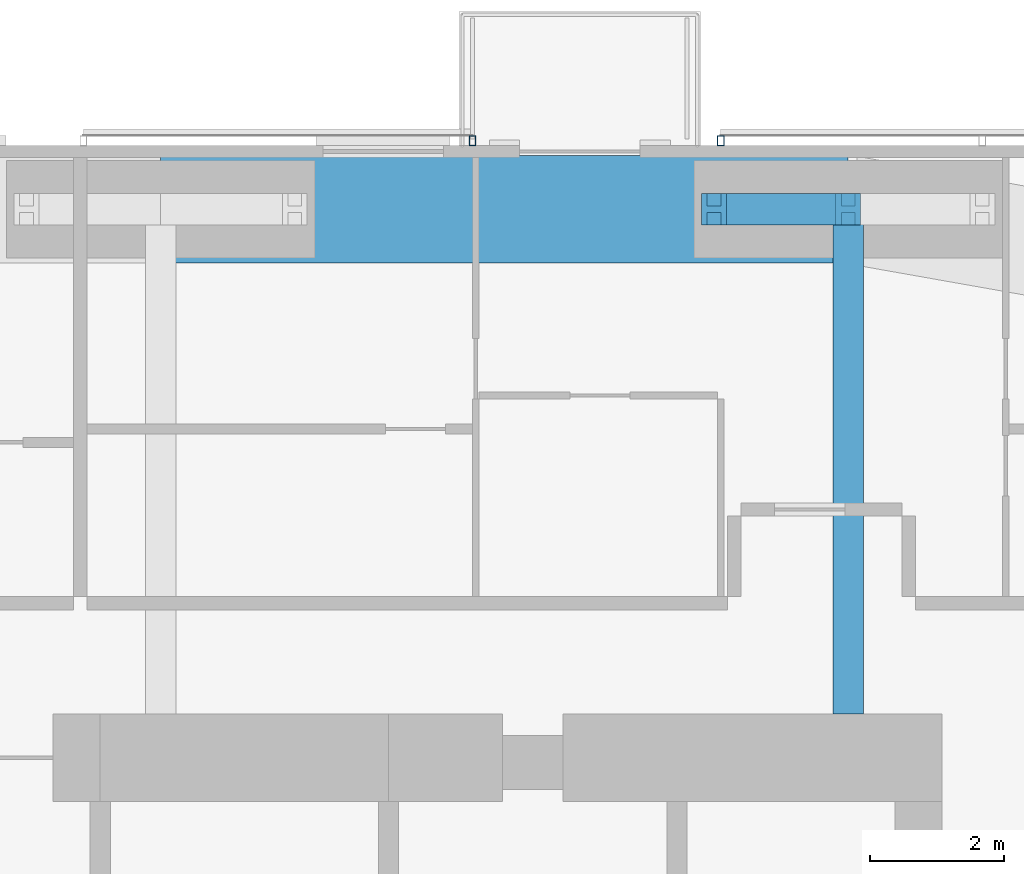
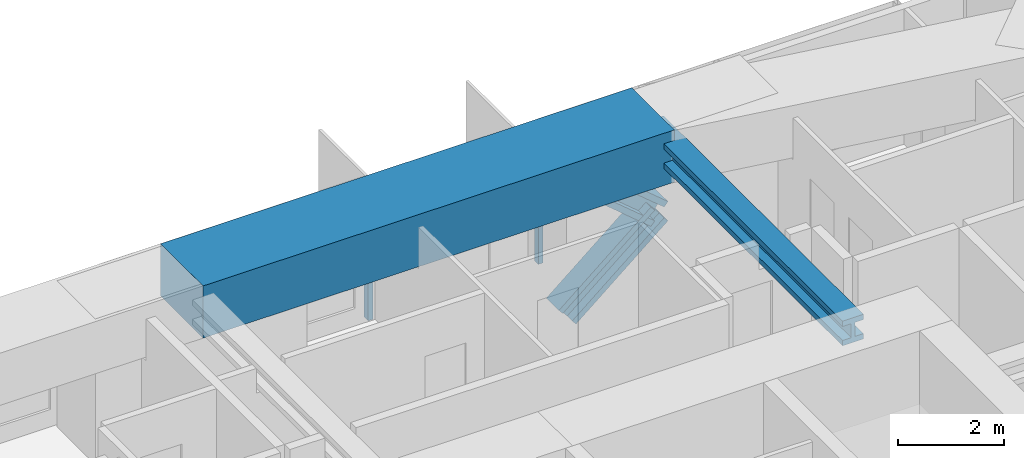
# One storey, part 12 of 23: 4 members, 2 beams, 2 elements without a shape of their own.
"""IFC4 building model written with IfcOpenShell, lengths in metres."""

from ifc_helpers import new_model, si_unit, direction, frame, origin, origin_2d, place, context, subcontext, project, spatial, rectangle, hollow_rectangle, i_section, extrude, material, material_profile, profile_set, type_object, element, aggregate, save


model = new_model("IFC4")

# Units and contexts
model_context = context("Model", 3, precision=1e-05, world=origin(), true_north=direction((0.0, 1.0)))
body_context = subcontext(model_context, "Body", "Model", "MODEL_VIEW")
ifc_project = project(units=[si_unit("LENGTHUNIT", "METRE"), si_unit("AREAUNIT", "SQUARE_METRE"), si_unit("VOLUMEUNIT", "CUBIC_METRE"), si_unit("PLANEANGLEUNIT", "RADIAN"), si_unit("MASSUNIT", "GRAM", prefix="KILO")], contexts=[model_context])

# Site, building, storey
site_placement = place(None, origin())
site = spatial("IfcSite", under=ifc_project, at=site_placement, CompositionType="ELEMENT")
building_placement = place(site_placement, origin())
building = spatial("IfcBuilding", under=site, at=building_placement, Name="Jalousie Tower", CompositionType="ELEMENT")
storey_placement = place(building_placement, frame((0.0, 0.0, 167.75)))
storey = spatial("IfcBuildingStorey", under=building, at=storey_placement, Name="L45", CompositionType="ELEMENT", Elevation=167.75)

# Beam
ifc_material_1 = material(Name="Steel ASTM A992 Grade 50", Category="steel")
ifc_material_profile_1 = material_profile(ifc_material_1, i_section(OverallWidth=0.45458984375, OverallDepth=0.569091796875, WebThickness=0.077880859375, FlangeThickness=0.124755859375, at=origin_2d()), Name="W14X730")
ifc_profile_set_1 = profile_set([ifc_material_profile_1], Name="Steel ASTM A992 Grade 50")
beam_type_1 = type_object("IfcBeamType", Name="LEAN COLLECTOR W14X730", PredefinedType="BEAM", material=ifc_profile_set_1)
beam_1_placement = place(storey_placement, frame((42.75, 35.050048828125, 2.825439453125), z_axis=(0.0, -1.0, 0.0), x_axis=(1.0, 0.0, 0.0)))
element("IfcBeam", 1, at=beam_1_placement, inside=storey, type_object=beam_type_1, Name="Lean collector under L46", PredefinedType="BEAM", context=body_context, shape_type="SweptSolid", body=[
    extrude(i_section(OverallWidth=0.45458984375, OverallDepth=0.569091796875, WebThickness=0.077880859375, FlangeThickness=0.124755859375, at=origin_2d()), origin(), (0.0, 0.0, 1.0), 7.525146484375),
])

# Members
ifc_material_2 = material(Name="Steel ASTM A992 Grade 50", Category="steel")
ifc_material_profile_2 = material_profile(ifc_material_2, i_section(OverallWidth=0.472412109375, OverallDepth=0.5791015625, WebThickness=0.094970703125, FlangeThickness=0.1298828125, at=origin_2d()), Name="W14X808")
ifc_profile_set_2 = profile_set([ifc_material_profile_2], Name="Steel ASTM A992 Grade 50")
member_type_1 = type_object("IfcMemberType", Name="PERIMETER BRACE W14X808", PredefinedType="BRACE", material=ifc_profile_set_2)
for number, where, z_axis, x_axis, name in (
    (2, (40.75, 35.050048828125, -0.60009765625), (0.766638753323, 0.0, 0.642078672674), (0.0, 1.0, 0.0), "Perimeter brace 09 L45 part 1"),
    (3, (42.75, 35.050048828125, 1.074951171875), (-0.766638753323, 0.0, 0.642078672674), (0.0, -1.0, 0.0), "Perimeter brace 09 L45 part 4"),
):
    element("IfcMember", number, at=place(storey_placement, frame(where, z_axis=z_axis, x_axis=x_axis)), inside=storey, type_object=member_type_1, Name=name, PredefinedType="BRACE", context=body_context, shape_type="SweptSolid", body=[
        extrude(i_section(OverallWidth=0.472412109375, OverallDepth=0.5791015625, WebThickness=0.094970703125, FlangeThickness=0.1298828125, at=origin_2d()), origin(), (0.0, 0.0, 1.0), 2.60888671875),
    ])

# Beam
ifc_material_3 = material(Name="Concrete f'c 40 MPa", Category="concrete")
ifc_material_profile_3 = material_profile(ifc_material_3, rectangle(XDim=1.60009765625, YDim=1.199951171875, at=origin_2d()), Name="RC 1600x1200")
ifc_profile_set_3 = profile_set([ifc_material_profile_3], Name="Concrete f'c 40 MPa")
beam_type_2 = type_object("IfcBeamType", Name="RC BEAM 1600x1200", PredefinedType="BEAM", material=ifc_profile_set_3)
beam_2_placement = place(storey_placement, frame((42.75, 35.050048828125, 2.75), z_axis=(-1.0, 0.0, 0.0), x_axis=(0.0, -1.0, 0.0)))
element("IfcBeam", 4, at=beam_2_placement, inside=storey, type_object=beam_type_2, Name="Edge band beam 09-10 under L46", PredefinedType="BEAM", context=body_context, shape_type="SweptSolid", body=[
    extrude(rectangle(XDim=1.60009765625, YDim=1.199951171875, at=origin_2d()), origin(), (0.0, 0.0, 1.0), 10.25),
])

# Curtain wall, member
ifc_material_4 = material(Name="Perforated aluminium sheet", Category="aluminium")
curtain_wall_type = type_object("IfcCurtainWallType", Name="SOLAR SCREEN SS-1", PredefinedType="USERDEFINED", material=ifc_material_4)
curtain_wall_1_placement = place(storey_placement, origin())
curtain_wall_1 = element("IfcCurtainWall", 5, at=curtain_wall_1_placement, inside=storey, type_object=curtain_wall_type, Name="Solar screen L45", ObjectType="SOLAR SCREEN SS-1", PredefinedType="USERDEFINED")
ifc_material_5 = material(Name="Steel ASTM A500 Grade C", Category="steel")
ifc_material_profile_4 = material_profile(ifc_material_5, hollow_rectangle(XDim=0.1015625, YDim=0.15234375, WallThickness=0.00634765625, at=origin_2d()), Name="HSS6X4X1/4")
ifc_profile_set_4 = profile_set([ifc_material_profile_4], Name="Steel ASTM A500 Grade C")
member_type_2 = type_object("IfcMemberType", Name="SOLAR SCREEN SS-1 MULLION", PredefinedType="MULLION", material=ifc_profile_set_4)
member_1_placement = place(storey_placement, frame((40.85009765625, 36.0712890625, -0.1201171875), z_axis=(0.0, 0.0, 1.0), x_axis=(-1.0, 0.0, 0.0)))
member_1 = element("IfcMember", 6, at=member_1_placement, type_object=member_type_2, Name="SS1 post 3", PredefinedType="MULLION", context=body_context, shape_type="SweptSolid", body=[
    extrude(hollow_rectangle(XDim=0.1015625, YDim=0.15234375, WallThickness=0.00634765625, at=origin_2d()), origin(), (0.0, 0.0, 1.0), 3.230224609375),
])
aggregate(curtain_wall_1, [member_1])

curtain_wall_2_placement = place(storey_placement, origin())
curtain_wall_2 = element("IfcCurtainWall", 7, at=curtain_wall_2_placement, inside=storey, type_object=curtain_wall_type, Name="Solar screen L45", ObjectType="SOLAR SCREEN SS-1", PredefinedType="USERDEFINED")
member_2_placement = place(storey_placement, frame((37.14990234375, 36.0712890625, -0.1201171875), z_axis=(0.0, 0.0, 1.0), x_axis=(-1.0, 0.0, 0.0)))
member_2 = element("IfcMember", 8, at=member_2_placement, type_object=member_type_2, Name="SS1 post 1", PredefinedType="MULLION", context=body_context, shape_type="SweptSolid", body=[
    extrude(hollow_rectangle(XDim=0.1015625, YDim=0.15234375, WallThickness=0.00634765625, at=origin_2d()), origin(), (0.0, 0.0, 1.0), 3.230224609375),
])
aggregate(curtain_wall_2, [member_2])

save(model, "model.ifc")
